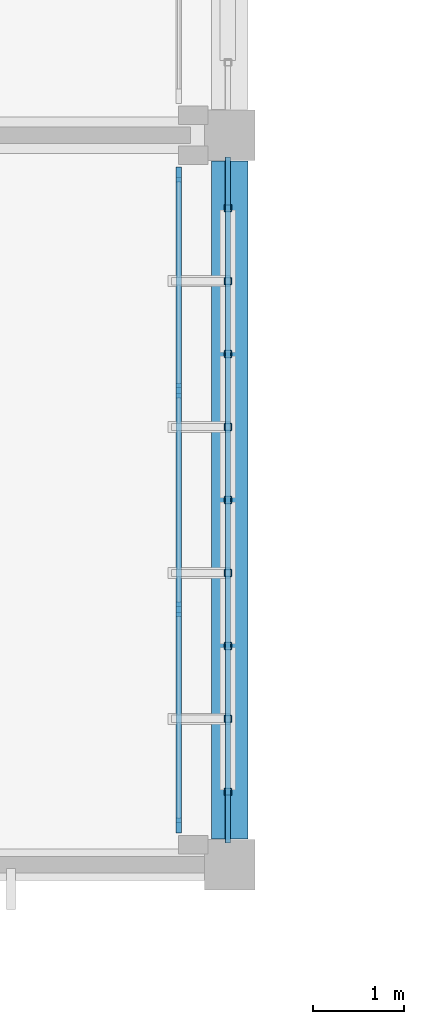
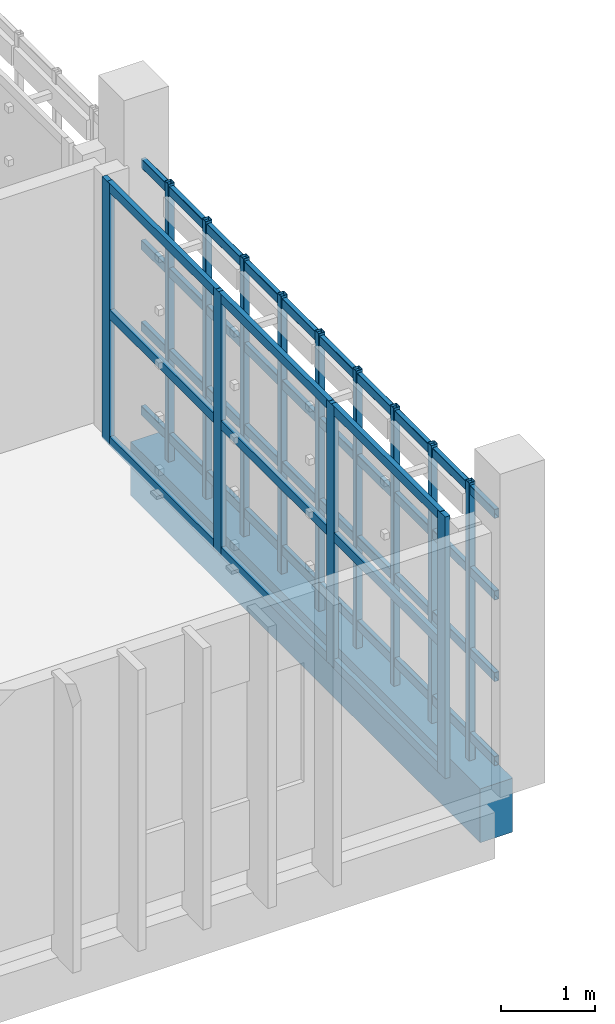
# One storey, part 18 of 63: 26 members, 1 beam, 1 element without a shape of its own.
"""IFC4 building model written with IfcOpenShell, lengths in metres."""

from ifc_helpers import new_model, si_unit, direction, frame, origin, origin_2d, place, context, subcontext, project, spatial, rectangle, hollow_rectangle, extrude, material, layer, layer_set, material_profile, profile_set, type_object, element, aggregate, save


model = new_model("IFC4")

# Units and contexts
model_context = context("Model", 3, precision=1e-05, world=origin(), true_north=direction((0.0, 1.0)))
body_context = subcontext(model_context, "Body", "Model", "MODEL_VIEW")
ifc_project = project(units=[si_unit("LENGTHUNIT", "METRE"), si_unit("AREAUNIT", "SQUARE_METRE"), si_unit("VOLUMEUNIT", "CUBIC_METRE"), si_unit("PLANEANGLEUNIT", "RADIAN"), si_unit("MASSUNIT", "GRAM", prefix="KILO")], contexts=[model_context])

# Site, building, storey
site_placement = place(None, origin())
site = spatial("IfcSite", under=ifc_project, at=site_placement, CompositionType="ELEMENT")
building_placement = place(site_placement, origin())
building = spatial("IfcBuilding", under=site, at=building_placement, Name="Jelvoka-Kovrelna Polytechnic", CompositionType="ELEMENT")
storey_placement = place(building_placement, frame((0.0, 0.0, 18.0)))
storey = spatial("IfcBuildingStorey", under=building, at=storey_placement, Name="L05", CompositionType="ELEMENT", Elevation=18.0)

# Beam
ifc_material_1 = material(Name="Concrete C40/50", Category="concrete")
ifc_material_profile_1 = material_profile(ifc_material_1, rectangle(XDim=0.39990234375, YDim=0.699951171875, at=origin_2d()), Name="RC 400x700")
ifc_profile_set_1 = profile_set([ifc_material_profile_1], Name="Concrete C40/50")
beam_type = type_object("IfcBeamType", Name="Beam_RC_400x700", PredefinedType="BEAM", material=ifc_profile_set_1)
beam_placement = place(storey_placement, frame((112.0, 32.280029296875, -0.60009765625), z_axis=(0.0, 1.0, 0.0), x_axis=(-1.0, 0.0, 0.0)))
element("IfcBeam", 1, at=beam_placement, inside=storey, type_object=beam_type, Name="L05 beam 1457", PredefinedType="BEAM", context=body_context, shape_type="SweptSolid", body=[
    extrude(rectangle(XDim=0.39990234375, YDim=0.699951171875, at=origin_2d()), origin(), (0.0, 0.0, 1.0), 7.43994140625),
])

# Members
ifc_material_2 = material(Name="Structural steel S355J2H", Category="steel")
ifc_material_profile_2 = material_profile(ifc_material_2, hollow_rectangle(XDim=0.06005859375, YDim=0.1201171875, WallThickness=0.0048828125, InnerFilletRadius=0.0048828125, OuterFilletRadius=0.007568359375, at=origin_2d()), Name="120x60x5.0 RHS")
ifc_profile_set_2 = profile_set([ifc_material_profile_2], Name="Structural steel S355J2H")
member_type_1 = type_object("IfcMemberType", Name="Member_Strut_RHS120", PredefinedType="STRUT", material=ifc_profile_set_2)
for number, where, z_axis, x_axis, name in (
    (2, (111.97998046875, 32.239990234375, 0.080078125), (0.0, 1.0, 0.0), (-1.0, 0.0, 0.0), "L05 terracotta screen horizontal strut 0209"),
    (3, (111.97998046875, 32.239990234375, 1.17138671875), (0.0, 1.0, 0.0), (-1.0, 0.0, 0.0), "L05 terracotta screen horizontal strut 0210"),
    (4, (111.97998046875, 32.239990234375, 2.230712890625), (0.0, 1.0, 0.0), (-1.0, 0.0, 0.0), "L05 terracotta screen horizontal strut 0211"),
    (5, (111.97998046875, 32.239990234375, 3.2900390625), (0.0, 1.0, 0.0), (-1.0, 0.0, 0.0), "L05 terracotta screen horizontal strut 0212"),
):
    element("IfcMember", number, at=place(storey_placement, frame(where, z_axis=z_axis, x_axis=x_axis)), inside=storey, type_object=member_type_1, Name=name, PredefinedType="STRUT", context=body_context, shape_type="SweptSolid", body=[
        extrude(hollow_rectangle(XDim=0.06005859375, YDim=0.1201171875, WallThickness=0.0048828125, InnerFilletRadius=0.0048828125, OuterFilletRadius=0.007568359375, at=origin_2d()), origin(), (0.0, 0.0, 1.0), 7.52001953125),
    ])
ifc_material_3 = material(Name="Structural steel S355J2H", Category="steel")
ifc_material_profile_3 = material_profile(ifc_material_3, hollow_rectangle(XDim=0.080078125, YDim=0.080078125, WallThickness=0.0048828125, InnerFilletRadius=0.0048828125, OuterFilletRadius=0.007568359375, at=origin_2d()), Name="80x80x5.0 SHS")
ifc_profile_set_3 = profile_set([ifc_material_profile_3], Name="Structural steel S355J2H")
member_type_2 = type_object("IfcMemberType", Name="Member_Strut_SHS80", PredefinedType="STRUT", material=ifc_profile_set_3)
for number, where, z_axis, x_axis, name in (
    (6, (111.97998046875, 32.800048828125, -0.22998046875), (0.0, 0.0, 1.0), (1.0, 0.0, 0.0), "L05 terracotta lattice vertical rib 0213"),
    (7, (111.97998046875, 33.60009765625, -0.22998046875), (0.0, 0.0, 1.0), (1.0, 0.0, 0.0), "L05 terracotta lattice vertical rib 0214"),
    (8, (111.97998046875, 34.39990234375, -0.22998046875), (0.0, 0.0, 1.0), (1.0, 0.0, 0.0), "L05 terracotta lattice vertical rib 0215"),
    (9, (111.97998046875, 35.199951171875, -0.22998046875), (0.0, 0.0, 1.0), (1.0, 0.0, 0.0), "L05 terracotta lattice vertical rib 0216"),
    (10, (111.97998046875, 36.0, -0.22998046875), (0.0, 0.0, 1.0), (1.0, 0.0, 0.0), "L05 terracotta lattice vertical rib 0217"),
    (11, (111.97998046875, 36.800048828125, -0.22998046875), (0.0, 0.0, 1.0), (1.0, 0.0, 0.0), "L05 terracotta lattice vertical rib 0218"),
    (12, (111.97998046875, 37.60009765625, -0.22998046875), (0.0, 0.0, 1.0), (1.0, 0.0, 0.0), "L05 terracotta lattice vertical rib 0219"),
    (13, (111.97998046875, 38.39990234375, -0.22998046875), (0.0, 0.0, 1.0), (1.0, 0.0, 0.0), "L05 terracotta lattice vertical rib 0220"),
    (14, (111.97998046875, 39.199951171875, -0.22998046875), (0.0, 0.0, 1.0), (1.0, 0.0, 0.0), "L05 terracotta lattice vertical rib 0221"),
):
    element("IfcMember", number, at=place(storey_placement, frame(where, z_axis=z_axis, x_axis=x_axis)), inside=storey, type_object=member_type_2, Name=name, PredefinedType="STRUT", context=body_context, shape_type="SweptSolid", body=[
        extrude(hollow_rectangle(XDim=0.080078125, YDim=0.080078125, WallThickness=0.0048828125, InnerFilletRadius=0.0048828125, OuterFilletRadius=0.007568359375, at=origin_2d()), origin(), (0.0, 0.0, 1.0), 3.60986328125),
    ])

# Curtain wall, members
ifc_material_4 = material(Name="Anodised aluminium 6063-T6", Category="aluminium")
ifc_layer = layer(ifc_material_4, 0.159912109375)
ifc_layer_set = layer_set([ifc_layer], Name="Anodised aluminium 6063-T6")
curtain_wall_type = type_object("IfcCurtainWallType", Name="CW_Recessed_A", PredefinedType="NOTDEFINED", material=ifc_layer_set)
curtain_wall_placement = place(storey_placement, origin())
curtain_wall = element("IfcCurtainWall", 15, at=curtain_wall_placement, inside=storey, type_object=curtain_wall_type, Name="L05 glazed curtain wall 033", PredefinedType="NOTDEFINED")
ifc_material_5 = material(Name="Anodised aluminium 6063-T6", Category="aluminium")
ifc_material_profile_4 = material_profile(ifc_material_5, rectangle(XDim=0.06005859375, YDim=0.159912109375, at=origin_2d()), Name="ALU 60x160")
ifc_profile_set_4 = profile_set([ifc_material_profile_4], Name="Anodised aluminium 6063-T6")
member_type_3 = type_object("IfcMemberType", Name="Mullion_M-01", PredefinedType="MULLION", material=ifc_profile_set_4)
member_1_placement = place(storey_placement, frame((111.43994140625, 39.570068359375, -0.02490234375), z_axis=(0.0, 0.0, 1.0), x_axis=(1.0, 0.0, 0.0)))
member_1 = element("IfcMember", 16, at=member_1_placement, type_object=member_type_3, Name="CW-01 mullion 1", PredefinedType="MULLION", context=body_context, shape_type="SweptSolid", body=[
    extrude(rectangle(XDim=0.06005859375, YDim=0.159912109375, at=origin_2d()), origin(), (0.0, 0.0, 1.0), 3.400146484375),
])
member_2_placement = place(storey_placement, frame((111.43994140625, 37.199951171875, -0.02490234375), z_axis=(0.0, 0.0, 1.0), x_axis=(1.0, 0.0, 0.0)))
member_2 = element("IfcMember", 17, at=member_2_placement, type_object=member_type_3, Name="CW-01 mullion 2", PredefinedType="MULLION", context=body_context, shape_type="SweptSolid", body=[
    extrude(rectangle(XDim=0.06005859375, YDim=0.159912109375, at=origin_2d()), origin(), (0.0, 0.0, 1.0), 3.400146484375),
])
member_3_placement = place(storey_placement, frame((111.43994140625, 34.800048828125, -0.02490234375), z_axis=(0.0, 0.0, 1.0), x_axis=(1.0, 0.0, 0.0)))
member_3 = element("IfcMember", 18, at=member_3_placement, type_object=member_type_3, Name="CW-01 mullion 3", PredefinedType="MULLION", context=body_context, shape_type="SweptSolid", body=[
    extrude(rectangle(XDim=0.06005859375, YDim=0.159912109375, at=origin_2d()), origin(), (0.0, 0.0, 1.0), 3.400146484375),
])
member_4_placement = place(storey_placement, frame((111.43994140625, 32.429931640625, -0.02490234375), z_axis=(0.0, 0.0, 1.0), x_axis=(1.0, 0.0, 0.0)))
member_4 = element("IfcMember", 19, at=member_4_placement, type_object=member_type_3, Name="CW-01 mullion 4", PredefinedType="MULLION", context=body_context, shape_type="SweptSolid", body=[
    extrude(rectangle(XDim=0.06005859375, YDim=0.159912109375, at=origin_2d()), origin(), (0.0, 0.0, 1.0), 3.400146484375),
])
ifc_material_6 = material(Name="Anodised aluminium 6063-T6", Category="aluminium")
ifc_material_profile_5 = material_profile(ifc_material_6, rectangle(XDim=0.06005859375, YDim=0.1201171875, at=origin_2d()), Name="ALU 60x120")
ifc_profile_set_5 = profile_set([ifc_material_profile_5], Name="Anodised aluminium 6063-T6")
member_type_4 = type_object("IfcMemberType", Name="Transom_T-01", PredefinedType="USERDEFINED", material=ifc_profile_set_5)
member_5_placement = place(storey_placement, frame((111.43994140625, 39.5400390625, 0.030029296875), z_axis=(0.0, -1.0, 0.0), x_axis=(1.0, 0.0, 0.0)))
member_5 = element("IfcMember", 20, at=member_5_placement, type_object=member_type_4, Name="CW-01 transom 1.1", ObjectType="TRANSOM", PredefinedType="USERDEFINED", context=body_context, shape_type="SweptSolid", body=[
    extrude(rectangle(XDim=0.06005859375, YDim=0.1201171875, at=origin_2d()), origin(), (0.0, 0.0, 1.0), 2.31005859375),
])
member_6_placement = place(storey_placement, frame((111.43994140625, 39.5400390625, 1.675048828125), z_axis=(0.0, -1.0, 0.0), x_axis=(1.0, 0.0, 0.0)))
member_6 = element("IfcMember", 21, at=member_6_placement, type_object=member_type_4, Name="CW-01 transom 1.2", ObjectType="TRANSOM", PredefinedType="USERDEFINED", context=body_context, shape_type="SweptSolid", body=[
    extrude(rectangle(XDim=0.06005859375, YDim=0.1201171875, at=origin_2d()), origin(), (0.0, 0.0, 1.0), 2.31005859375),
])
member_7_placement = place(storey_placement, frame((111.43994140625, 39.5400390625, 3.320068359375), z_axis=(0.0, -1.0, 0.0), x_axis=(1.0, 0.0, 0.0)))
member_7 = element("IfcMember", 22, at=member_7_placement, type_object=member_type_4, Name="CW-01 transom 1.3", ObjectType="TRANSOM", PredefinedType="USERDEFINED", context=body_context, shape_type="SweptSolid", body=[
    extrude(rectangle(XDim=0.06005859375, YDim=0.1201171875, at=origin_2d()), origin(), (0.0, 0.0, 1.0), 2.31005859375),
])
member_8_placement = place(storey_placement, frame((111.43994140625, 37.169921875, 0.030029296875), z_axis=(0.0, -1.0, 0.0), x_axis=(1.0, 0.0, 0.0)))
member_8 = element("IfcMember", 23, at=member_8_placement, type_object=member_type_4, Name="CW-01 transom 2.1", ObjectType="TRANSOM", PredefinedType="USERDEFINED", context=body_context, shape_type="SweptSolid", body=[
    extrude(rectangle(XDim=0.06005859375, YDim=0.1201171875, at=origin_2d()), origin(), (0.0, 0.0, 1.0), 2.33984375),
])
member_9_placement = place(storey_placement, frame((111.43994140625, 37.169921875, 1.675048828125), z_axis=(0.0, -1.0, 0.0), x_axis=(1.0, 0.0, 0.0)))
member_9 = element("IfcMember", 24, at=member_9_placement, type_object=member_type_4, Name="CW-01 transom 2.2", ObjectType="TRANSOM", PredefinedType="USERDEFINED", context=body_context, shape_type="SweptSolid", body=[
    extrude(rectangle(XDim=0.06005859375, YDim=0.1201171875, at=origin_2d()), origin(), (0.0, 0.0, 1.0), 2.33984375),
])
member_10_placement = place(storey_placement, frame((111.43994140625, 37.169921875, 3.320068359375), z_axis=(0.0, -1.0, 0.0), x_axis=(1.0, 0.0, 0.0)))
member_10 = element("IfcMember", 25, at=member_10_placement, type_object=member_type_4, Name="CW-01 transom 2.3", ObjectType="TRANSOM", PredefinedType="USERDEFINED", context=body_context, shape_type="SweptSolid", body=[
    extrude(rectangle(XDim=0.06005859375, YDim=0.1201171875, at=origin_2d()), origin(), (0.0, 0.0, 1.0), 2.33984375),
])
member_11_placement = place(storey_placement, frame((111.43994140625, 34.77001953125, 0.030029296875), z_axis=(0.0, -1.0, 0.0), x_axis=(1.0, 0.0, 0.0)))
member_11 = element("IfcMember", 26, at=member_11_placement, type_object=member_type_4, Name="CW-01 transom 3.1", ObjectType="TRANSOM", PredefinedType="USERDEFINED", context=body_context, shape_type="SweptSolid", body=[
    extrude(rectangle(XDim=0.06005859375, YDim=0.1201171875, at=origin_2d()), origin(), (0.0, 0.0, 1.0), 2.31005859375),
])
member_12_placement = place(storey_placement, frame((111.43994140625, 34.77001953125, 1.675048828125), z_axis=(0.0, -1.0, 0.0), x_axis=(1.0, 0.0, 0.0)))
member_12 = element("IfcMember", 27, at=member_12_placement, type_object=member_type_4, Name="CW-01 transom 3.2", ObjectType="TRANSOM", PredefinedType="USERDEFINED", context=body_context, shape_type="SweptSolid", body=[
    extrude(rectangle(XDim=0.06005859375, YDim=0.1201171875, at=origin_2d()), origin(), (0.0, 0.0, 1.0), 2.31005859375),
])
member_13_placement = place(storey_placement, frame((111.43994140625, 34.77001953125, 3.320068359375), z_axis=(0.0, -1.0, 0.0), x_axis=(1.0, 0.0, 0.0)))
member_13 = element("IfcMember", 28, at=member_13_placement, type_object=member_type_4, Name="CW-01 transom 3.3", ObjectType="TRANSOM", PredefinedType="USERDEFINED", context=body_context, shape_type="SweptSolid", body=[
    extrude(rectangle(XDim=0.06005859375, YDim=0.1201171875, at=origin_2d()), origin(), (0.0, 0.0, 1.0), 2.31005859375),
])
aggregate(curtain_wall, [member_1, member_2, member_3, member_4, member_5, member_6, member_7, member_8, member_9, member_10, member_11, member_12, member_13])

save(model, "model.ifc")
